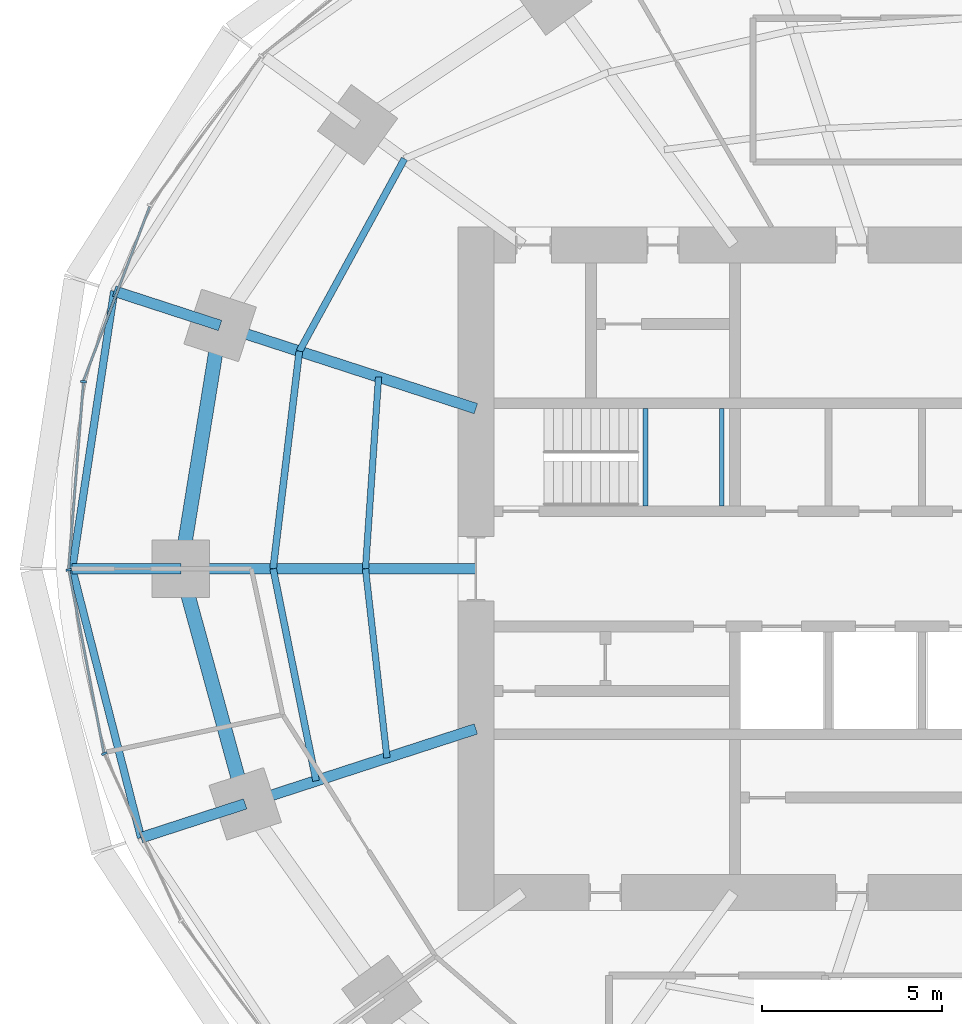
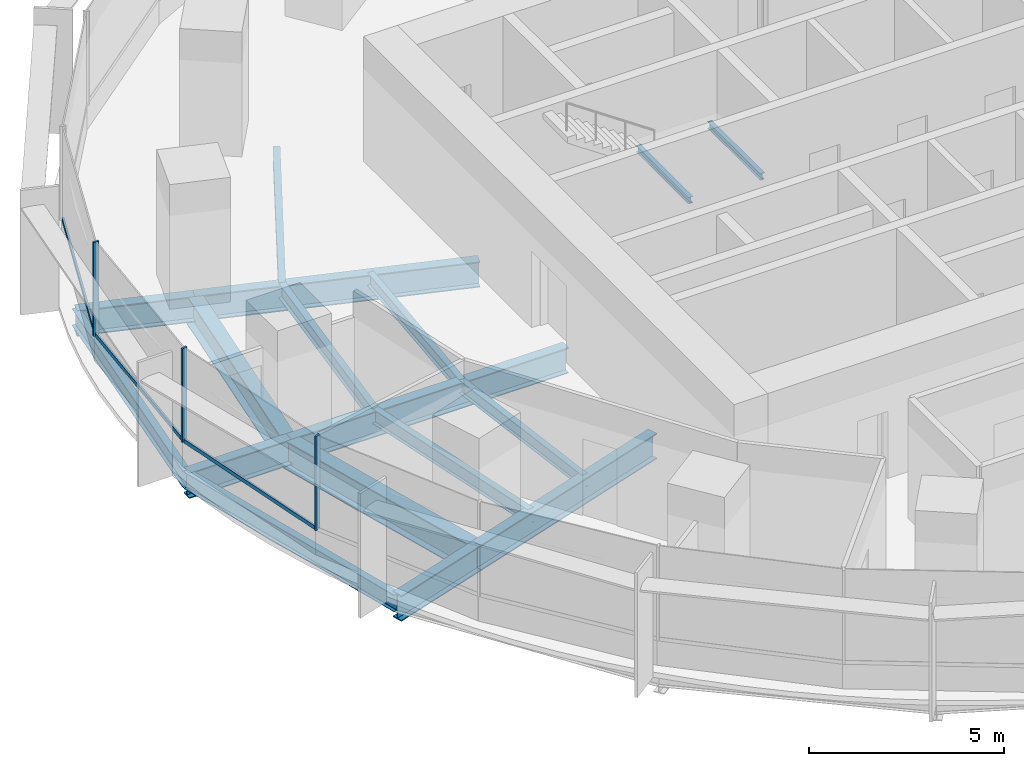
# One storey, part 4 of 14: 17 beams, 6 members, 2 elements without a shape of their own.
"""IFC4 building model written with IfcOpenShell, lengths in metres."""

import ifcopenshell
import ifcopenshell.guid

model = None  # the IFC model being written
_history = None  # IfcOwnerHistory: only IFC2X3 demands one
_inside = {}  # id of a spatial element -> (the spatial element, [elements in it])
_under = {}  # id of a project, library or spatial element -> (it, [spatial elements below it])
_declared = {}  # id of a project -> (the project, [libraries it declares])
_typed = {}  # id of a type object -> (the type object, [elements of that type])
_made_of = {}  # id of a material, layer set ... -> (it, [elements and type objects made of it])


def new_model(schema):
    """Start an empty IFC model of exactly this schema.

    Asked for "IFC4X3", IfcOpenShell would pick the latest addendum, in which some entities
    have other attributes; the version numbers below select the first issue.
    IFC2X3 requires an IfcOwnerHistory on every rooted entity: one is made here for all.
    """
    global model, _history
    if schema == "IFC4X3":
        model = ifcopenshell.file(schema_version=(4, 3, 0, 0))
    else:
        model = ifcopenshell.file(schema=schema)
    _inside.clear()
    _under.clear()
    _declared.clear()
    _typed.clear()
    _made_of.clear()
    _history = None
    if model.schema == "IFC2X3":
        org = make("IfcOrganization", Name="unknown")
        user = make(
            "IfcPersonAndOrganization",
            ThePerson=make("IfcPerson", FamilyName="unknown"),
            TheOrganization=org,
        )
        app = make(
            "IfcApplication",
            ApplicationDeveloper=org,
            Version="unknown",
            ApplicationFullName="unknown",
            ApplicationIdentifier="unknown",
        )
        _history = make(
            "IfcOwnerHistory",
            OwningUser=user,
            OwningApplication=app,
            ChangeAction="ADDED",
            CreationDate=0,
        )
    return model


def make(cls, **values):
    """One entity of the class cls with the attributes given. An attribute that is None is left unset."""
    return model.create_entity(
        cls, **{name: value for name, value in values.items() if value is not None}
    )


def rooted(cls, **values):
    """An entity with a GlobalId (a new one), such as an element, a storey or a relation."""
    return make(cls, GlobalId=ifcopenshell.guid.new(), OwnerHistory=_history, **values)


def si_unit(unit_type, name, prefix=None):
    """IfcSIUnit, for example si_unit("LENGTHUNIT", "METRE", prefix="MILLI")."""
    return make("IfcSIUnit", UnitType=unit_type, Prefix=prefix, Name=name)


def assignment(units):
    """IfcUnitAssignment: the units of a project."""
    return None if units is None else make("IfcUnitAssignment", Units=units)


def point(xyz):
    """IfcCartesianPoint."""
    return None if xyz is None else make("IfcCartesianPoint", Coordinates=xyz)


def direction(xyz):
    """IfcDirection."""
    return None if xyz is None else make("IfcDirection", DirectionRatios=xyz)


def frame(location, z_axis=None, x_axis=None):
    """IfcAxis2Placement3D, a coordinate frame: its origin and axes. An axis left out is left unset."""
    return make(
        "IfcAxis2Placement3D",
        Location=point(location),
        Axis=direction(z_axis),
        RefDirection=direction(x_axis),
    )


def frame_2d(location, x_axis=None):
    """IfcAxis2Placement2D, a coordinate frame in the plane: its origin and x axis."""
    return make(
        "IfcAxis2Placement2D", Location=point(location), RefDirection=direction(x_axis)
    )


def origin():
    """The frame at (0, 0, 0) with its axes left unset."""
    return frame((0.0, 0.0, 0.0))


def origin_2d():
    """The frame at (0, 0) in the plane with its x axis left unset."""
    return frame_2d((0.0, 0.0))


def place(relative_to, where):
    """IfcLocalPlacement: puts the frame where relative to a parent placement (None: the world)."""
    return make(
        "IfcLocalPlacement", PlacementRelTo=relative_to, RelativePlacement=where
    )


def context(
    kind, dimensions, precision=None, world=None, true_north=None, identifier=None
):
    """IfcGeometricRepresentationContext, for example the 3D "Model" context."""
    return make(
        "IfcGeometricRepresentationContext",
        ContextIdentifier=identifier,
        ContextType=kind,
        CoordinateSpaceDimension=dimensions,
        Precision=precision,
        WorldCoordinateSystem=world,
        TrueNorth=true_north,
    )


def subcontext(parent, identifier, kind, view, scale=None):
    """IfcGeometricRepresentationSubContext, for example "Body" below "Model"."""
    return make(
        "IfcGeometricRepresentationSubContext",
        ContextIdentifier=identifier,
        ContextType=kind,
        ParentContext=parent,
        TargetScale=scale,
        TargetView=view,
    )


def project(units=None, contexts=None):
    """IfcProject with its units and contexts."""
    return rooted(
        "IfcProject",
        Name="project",
        RepresentationContexts=contexts,
        UnitsInContext=assignment(units),
    )


def spatial(cls, under=None, at=None, **own):
    """A site, building, storey or space (cls), placed at a placement, below another one or the project."""
    s = rooted(cls, ObjectPlacement=at, **own)
    if under is not None:
        _under.setdefault(under.id(), (under, []))[1].append(s)
    return s


def profile(cls, at=None, kind="AREA", **sizes):
    """A parametric profile (cls). Its sizes go by their IFC names, for example OverallWidth=200.0."""
    return make(cls, ProfileType=kind, Position=at, **sizes)


def rectangle(**sizes):
    """IfcRectangleProfileDef."""
    return profile("IfcRectangleProfileDef", **sizes)


def i_section(**sizes):
    """IfcIShapeProfileDef."""
    return profile("IfcIShapeProfileDef", **sizes)


def extrude(swept, where, along, depth):
    """IfcExtrudedAreaSolid: the profile swept, set in the frame where, extruded along a direction by depth."""
    return make(
        "IfcExtrudedAreaSolid",
        SweptArea=swept,
        Position=where,
        ExtrudedDirection=direction(along),
        Depth=depth,
    )


def shape(context_of_items, identifier, shape_type, items):
    """IfcShapeRepresentation: the items that make up one representation, for example the "Body"."""
    return make(
        "IfcShapeRepresentation",
        ContextOfItems=context_of_items,
        RepresentationIdentifier=identifier,
        RepresentationType=shape_type,
        Items=items,
    )


def material(Name=None, Category=None):
    """IfcMaterial."""
    return make("IfcMaterial", Name=Name, Category=Category)


def material_profile(
    of_material, cross_section, Name=None, Category=None, Priority=None
):
    """IfcMaterialProfile: a cross section and its material."""
    return make(
        "IfcMaterialProfile",
        Name=Name,
        Material=of_material,
        Profile=cross_section,
        Priority=Priority,
        Category=Category,
    )


def profile_set(profiles, Name=None, composite=None):
    """IfcMaterialProfileSet."""
    return make(
        "IfcMaterialProfileSet",
        Name=Name,
        MaterialProfiles=profiles,
        CompositeProfile=composite,
    )


def made_of(thing, what):
    """Note that an element or type object is made of a material, layer set ...; save() writes the relation."""
    if what is not None:
        _made_of.setdefault(what.id(), (what, []))[1].append(thing)
    return thing


def type_object(cls, material=None, **own):
    """A type object (cls), such as IfcWallType, which elements share."""
    return made_of(rooted(cls, **own), material)


def element(
    cls,
    number,
    at=None,
    inside=None,
    cuts=None,
    type_object=None,
    material=None,
    context=None,
    identifier="Body",
    shape_type=None,
    held_by="IfcProductDefinitionShape",
    body=None,
    shapes=None,
    **own,
):
    """One element of the class cls, such as IfcWall. Its Tag is "e" and its number.

    at: its placement. inside: the storey or other place that contains it. cuts: it is an
    opening in that element (IfcRelVoidsElement). A single representation is given by context,
    identifier, shape_type and body (its items); several are given by shapes. held_by: the class
    of the entity that holds the representations. save() writes the other relations.
    """
    e = rooted(cls, Tag="e%d" % number, ObjectPlacement=at, **own)
    if body is not None:
        shapes = [shape(context, identifier, shape_type, body)]
    if shapes is not None:
        e.Representation = make(held_by, Representations=shapes)
    if inside is not None:
        _inside.setdefault(inside.id(), (inside, []))[1].append(e)
    if cuts is not None:
        rooted(
            "IfcRelVoidsElement", RelatingBuildingElement=cuts, RelatedOpeningElement=e
        )
    if type_object is not None:
        _typed.setdefault(type_object.id(), (type_object, []))[1].append(e)
    return made_of(e, material)


def aggregate(whole, parts):
    """IfcRelAggregates: a whole, such as a stair, and the parts it consists of."""
    return rooted("IfcRelAggregates", RelatingObject=whole, RelatedObjects=parts)


def save(model, path):
    """Write the relations noted so far, then the file.

    IfcRelAggregates (storeys below a building ...), IfcRelContainedInSpatialStructure (elements
    in a storey), IfcRelDefinesByType, IfcRelAssociatesMaterial and IfcRelDeclares: one each for
    every whole, place, type object, material and project.
    """
    for whole, parts in _under.values():
        aggregate(whole, parts)
    for where, things in _inside.values():
        rooted(
            "IfcRelContainedInSpatialStructure",
            RelatedElements=things,
            RelatingStructure=where,
        )
    for kind, things in _typed.values():
        rooted("IfcRelDefinesByType", RelatedObjects=things, RelatingType=kind)
    for what, things in _made_of.values():
        rooted("IfcRelAssociatesMaterial", RelatedObjects=things, RelatingMaterial=what)
    for by, libraries in _declared.values():
        rooted("IfcRelDeclares", RelatingContext=by, RelatedDefinitions=libraries)
    model.write(path)


model = new_model("IFC4")

# Units and contexts
model_context = context("Model", 3, precision=1e-05, world=origin(), true_north=direction((0.0, 1.0)))
body_context = subcontext(model_context, "Body", "Model", "MODEL_VIEW")
ifc_project = project(units=[si_unit("LENGTHUNIT", "METRE"), si_unit("AREAUNIT", "SQUARE_METRE"), si_unit("VOLUMEUNIT", "CUBIC_METRE"), si_unit("PLANEANGLEUNIT", "RADIAN"), si_unit("MASSUNIT", "GRAM", prefix="KILO")], contexts=[model_context])

# Site, building, storey
site_placement = place(None, origin())
site = spatial("IfcSite", under=ifc_project, at=site_placement, CompositionType="ELEMENT")
building_placement = place(site_placement, origin())
building = spatial("IfcBuilding", under=site, at=building_placement, Name="Marramba Exchange Tower", CompositionType="ELEMENT")
storey_placement = place(building_placement, frame((0.0, 0.0, 96.300048828125)))
storey = spatial("IfcBuildingStorey", under=building, at=storey_placement, Name="L22", CompositionType="ELEMENT", Elevation=96.300048828125)

# Beams
ifc_material_1 = material(Name="Steel AS/NZS 3679.2 grade 300", Category="steel")
ifc_material_profile_1 = material_profile(ifc_material_1, i_section(OverallWidth=0.300048828125, OverallDepth=0.800048828125, WebThickness=0.013916015625, FlangeThickness=0.031982421875, at=origin_2d()), Name="800WB192")
ifc_profile_set_1 = profile_set([ifc_material_profile_1], Name="Steel AS/NZS 3679.2 grade 300")
beam_type_1 = type_object("IfcBeamType", Name="Cantilever girder 800WB192", PredefinedType="BEAM", material=ifc_profile_set_1)
beam_1_placement = place(storey_placement, frame((-20.808349609375, 6.760986328125, -0.56005859375), z_axis=(-0.95104799017, 0.309043233858, 0.0), x_axis=(-0.309043233858, -0.95104799017, 0.0)))
element("IfcBeam", 1, at=beam_1_placement, inside=storey, type_object=beam_type_1, Name="Cantilever girder L22 TC10", PredefinedType="BEAM", context=body_context, shape_type="SweptSolid", body=[
    extrude(i_section(OverallWidth=0.300048828125, OverallDepth=0.800048828125, WebThickness=0.013916015625, FlangeThickness=0.031982421875, at=origin_2d()), origin(), (0.0, 0.0, 1.0), 3.0927734375),
])
beam_2_placement = place(storey_placement, frame((-21.89990234375, 0.0, -0.56005859375), z_axis=(-1.0, 0.0, 0.0), x_axis=(0.0, -1.0, 0.0)))
element("IfcBeam", 2, at=beam_2_placement, inside=storey, type_object=beam_type_1, Name="Cantilever girder L22 TC11", PredefinedType="BEAM", context=body_context, shape_type="SweptSolid", body=[
    extrude(i_section(OverallWidth=0.300048828125, OverallDepth=0.800048828125, WebThickness=0.013916015625, FlangeThickness=0.031982421875, at=origin_2d()), origin(), (0.0, 0.0, 1.0), 3.01806640625),
])
beam_3_placement = place(storey_placement, frame((-20.109375, -6.533935546875, -0.56005859375), z_axis=(-0.951070617775, -0.308973591113, 0.0), x_axis=(0.308973591113, -0.951070617775, 0.0)))
element("IfcBeam", 3, at=beam_3_placement, inside=storey, type_object=beam_type_1, Name="Cantilever girder L22 TC12", PredefinedType="BEAM", context=body_context, shape_type="SweptSolid", body=[
    extrude(i_section(OverallWidth=0.300048828125, OverallDepth=0.800048828125, WebThickness=0.013916015625, FlangeThickness=0.031982421875, at=origin_2d()), origin(), (0.0, 0.0, 1.0), 3.04296875),
])
ifc_material_2 = material(Name="Steel AS/NZS 3679.1 grade 300", Category="steel")
ifc_material_profile_2 = material_profile(ifc_material_2, i_section(OverallWidth=0.177978515625, OverallDepth=0.406005859375, WebThickness=0.0078125, FlangeThickness=0.0126953125, FilletRadius=0.011474609375, at=origin_2d()), Name="410UB59.7")
ifc_profile_set_2 = profile_set([ifc_material_profile_2], Name="Steel AS/NZS 3679.1 grade 300")
beam_type_2 = type_object("IfcBeamType", Name="Floor joist 410UB59.7", PredefinedType="JOIST", material=ifc_profile_set_2)
beam_4_placement = place(storey_placement, frame((-16.40283203125, 5.32958984375, -0.363037109375), z_axis=(-0.068096259546, -0.99767875563, 0.0), x_axis=(0.99767875563, -0.068096259546, 0.0)))
element("IfcBeam", 4, at=beam_4_placement, inside=storey, type_object=beam_type_2, Name="Joist L22 bay 10 row 1", PredefinedType="JOIST", context=body_context, shape_type="SweptSolid", body=[
    extrude(i_section(OverallWidth=0.177978515625, OverallDepth=0.406005859375, WebThickness=0.0078125, FlangeThickness=0.0126953125, FilletRadius=0.011474609375, at=origin_2d()), origin(), (0.0, 0.0, 1.0), 5.342041015625),
])
beam_5_placement = place(storey_placement, frame((-16.7666015625, 0.0, -0.363037109375), z_axis=(0.112888968594, -0.993607609054, 0.0), x_axis=(0.993607609054, 0.112888968594, 0.0)))
element("IfcBeam", 5, at=beam_5_placement, inside=storey, type_object=beam_type_2, Name="Joist L22 bay 11 row 1", PredefinedType="JOIST", context=body_context, shape_type="SweptSolid", body=[
    extrude(i_section(OverallWidth=0.177978515625, OverallDepth=0.406005859375, WebThickness=0.0078125, FlangeThickness=0.0126953125, FilletRadius=0.011474609375, at=origin_2d()), origin(), (0.0, 0.0, 1.0), 5.28759765625),
])
ifc_material_profile_3 = material_profile(ifc_material_2, i_section(OverallWidth=0.18994140625, OverallDepth=0.4541015625, WebThickness=0.008544921875, FlangeThickness=0.0126953125, FilletRadius=0.011474609375, at=origin_2d()), Name="460UB67.1")
ifc_profile_set_3 = profile_set([ifc_material_profile_3], Name="Steel AS/NZS 3679.1 grade 300")
beam_type_3 = type_object("IfcBeamType", Name="Floor joist 460UB67.1", PredefinedType="JOIST", material=ifc_profile_set_3)
beam_6_placement = place(storey_placement, frame((-15.682373046875, 11.393798828125, -0.386962890625), z_axis=(-0.479584443791, -0.877495732909, 0.0), x_axis=(0.877495732909, -0.479584443791, 0.0)))
element("IfcBeam", 6, at=beam_6_placement, inside=storey, type_object=beam_type_3, Name="Joist L22 bay 09 row 2", PredefinedType="JOIST", context=body_context, shape_type="SweptSolid", body=[
    extrude(i_section(OverallWidth=0.18994140625, OverallDepth=0.4541015625, WebThickness=0.008544921875, FlangeThickness=0.0126953125, FilletRadius=0.011474609375, at=origin_2d()), origin(), (0.0, 0.0, 1.0), 6.094970703125),
])
beam_7_placement = place(storey_placement, frame((-18.60546875, 6.04541015625, -0.386962890625), z_axis=(-0.119523078538, -0.992831422597, 0.0), x_axis=(0.992831422597, -0.119523078538, 0.0)))
element("IfcBeam", 7, at=beam_7_placement, inside=storey, type_object=beam_type_3, Name="Joist L22 bay 10 row 2", PredefinedType="JOIST", context=body_context, shape_type="SweptSolid", body=[
    extrude(i_section(OverallWidth=0.18994140625, OverallDepth=0.4541015625, WebThickness=0.008544921875, FlangeThickness=0.0126953125, FilletRadius=0.011474609375, at=origin_2d()), origin(), (0.0, 0.0, 1.0), 6.089111328125),
])
beam_8_placement = place(storey_placement, frame((-19.333251953125, 0.0, -0.386962890625), z_axis=(0.198489047047, -0.980103105904, 0.0), x_axis=(0.980103105904, 0.198489047047, 0.0)))
element("IfcBeam", 8, at=beam_8_placement, inside=storey, type_object=beam_type_3, Name="Joist L22 bay 11 row 2", PredefinedType="JOIST", context=body_context, shape_type="SweptSolid", body=[
    extrude(i_section(OverallWidth=0.18994140625, OverallDepth=0.4541015625, WebThickness=0.008544921875, FlangeThickness=0.0126953125, FilletRadius=0.011474609375, at=origin_2d()), origin(), (0.0, 0.0, 1.0), 6.013427734375),
])

# Curtain wall, member
ifc_material_3 = material(Name="Aluminium framing, bronze anodised", Category="aluminium")
curtain_wall_type = type_object("IfcCurtainWallType", Name="Office ribbon curtain wall", PredefinedType="USERDEFINED", material=ifc_material_3)
curtain_wall_1_placement = place(storey_placement, origin())
curtain_wall_1 = element("IfcCurtainWall", 9, at=curtain_wall_1_placement, inside=storey, type_object=curtain_wall_type, Name="Curtain wall CW4 L22 F11-F15", ObjectType="RIBBON CURTAIN WALL", PredefinedType="USERDEFINED")
ifc_material_4 = material(Name="Aluminium mullion, bronze anodised", Category="aluminium")
ifc_material_profile_4 = material_profile(ifc_material_4, rectangle(XDim=0.159912109375, YDim=0.06005859375, at=origin_2d()), Name="CW4 mullion 60x160")
ifc_profile_set_4 = profile_set([ifc_material_profile_4], Name="Aluminium mullion, bronze anodised")
member_type_1 = type_object("IfcMemberType", Name="Office ribbon curtain wall mullion", PredefinedType="MULLION", material=ifc_profile_set_4)
member_1_placement = place(storey_placement, frame((-24.603515625, 5.19921875, 0.800048828125), z_axis=(0.0, 0.0, 1.0), x_axis=(0.996838079455, -0.079459696383, 0.0)))
member_1 = element("IfcMember", 10, at=member_1_placement, type_object=member_type_1, Name="CW4 mullion 1", PredefinedType="MULLION", context=body_context, shape_type="SweptSolid", body=[
    extrude(rectangle(XDim=0.159912109375, YDim=0.06005859375, at=origin_2d()), origin(), (0.0, 0.0, 1.0), 2.93994140625),
])

# Curtain wall, members
curtain_wall_2_placement = place(storey_placement, origin())
curtain_wall_2 = element("IfcCurtainWall", 11, at=curtain_wall_2_placement, inside=storey, type_object=curtain_wall_type, Name="Curtain wall CW4 L22 F16-F20", ObjectType="RIBBON CURTAIN WALL", PredefinedType="USERDEFINED")
member_2_placement = place(storey_placement, frame((-25.012451171875, -0.029541015625, 0.800048828125), z_axis=(0.0, 0.0, 1.0), x_axis=(0.982125509078, 0.18822721487, 0.0)))
member_2 = element("IfcMember", 12, at=member_2_placement, type_object=member_type_1, Name="CW4 mullion 1", PredefinedType="MULLION", context=body_context, shape_type="SweptSolid", body=[
    extrude(rectangle(XDim=0.159912109375, YDim=0.06005859375, at=origin_2d()), origin(), (0.0, 0.0, 1.0), 2.93994140625),
])
member_3_placement = place(storey_placement, frame((-24.026123046875, -5.136962890625, 0.800048828125), z_axis=(0.0, 0.0, 1.0), x_axis=(0.909026713177, 0.416737848929, 0.0)))
member_3 = element("IfcMember", 13, at=member_3_placement, type_object=member_type_1, Name="CW4 mullion 1", PredefinedType="MULLION", context=body_context, shape_type="SweptSolid", body=[
    extrude(rectangle(XDim=0.159912109375, YDim=0.06005859375, at=origin_2d()), origin(), (0.0, 0.0, 1.0), 2.93994140625),
])

# Member
ifc_material_5 = material(Name="Aluminium transom, bronze anodised", Category="aluminium")
ifc_material_profile_5 = material_profile(ifc_material_5, rectangle(XDim=0.06005859375, YDim=0.1201171875, at=origin_2d()), Name="CW4 transom 60x120")
ifc_profile_set_5 = profile_set([ifc_material_profile_5], Name="Aluminium transom, bronze anodised")
member_type_2 = type_object("IfcMemberType", Name="Office ribbon curtain wall transom", PredefinedType="USERDEFINED", material=ifc_profile_set_5)
member_4_placement = place(storey_placement, frame((-22.763916015625, 10.069580078125, 0.829833984375), z_axis=(-0.354851822252, -0.934922555212, 0.0), x_axis=(0.934922555212, -0.354851822252, 0.0)))
member_4 = element("IfcMember", 14, at=member_4_placement, type_object=member_type_2, Name="CW4 sill transom", ObjectType="TRANSOM", PredefinedType="USERDEFINED", context=body_context, shape_type="SweptSolid", body=[
    extrude(rectangle(XDim=0.06005859375, YDim=0.1201171875, at=origin_2d()), origin(), (0.0, 0.0, 1.0), 5.17724609375),
])

member_5_placement = place(storey_placement, frame((-24.60595703125, 5.16943359375, 0.829833984375), z_axis=(-0.07946828762, -0.996837394595, 0.0), x_axis=(0.996837394595, -0.07946828762, 0.0)))
member_5 = element("IfcMember", 15, at=member_5_placement, type_object=member_type_2, Name="CW4 sill transom", ObjectType="TRANSOM", PredefinedType="USERDEFINED", context=body_context, shape_type="SweptSolid", body=[
    extrude(rectangle(XDim=0.06005859375, YDim=0.1201171875, at=origin_2d()), origin(), (0.0, 0.0, 1.0), 5.185791015625),
])

aggregate(curtain_wall_1, [member_4, member_1, member_5])

member_6_placement = place(storey_placement, frame((-25.006591796875, -0.058837890625, 0.829833984375), z_axis=(0.188185293992, -0.982133542409, 0.0), x_axis=(0.982133542409, 0.188185293992, 0.0)))
member_6 = element("IfcMember", 16, at=member_6_placement, type_object=member_type_2, Name="CW4 sill transom", ObjectType="TRANSOM", PredefinedType="USERDEFINED", context=body_context, shape_type="SweptSolid", body=[
    extrude(rectangle(XDim=0.06005859375, YDim=0.1201171875, at=origin_2d()), origin(), (0.0, 0.0, 1.0), 5.142578125),
])

aggregate(curtain_wall_2, [member_2, member_6, member_3])

# Beams
ifc_material_profile_6 = material_profile(ifc_material_1, i_section(OverallWidth=0.300048828125, OverallDepth=0.800048828125, WebThickness=0.013916015625, FlangeThickness=0.031982421875, at=origin_2d()), Name="800WB192")
ifc_profile_set_6 = profile_set([ifc_material_profile_6], Name="Steel AS/NZS 3679.2 grade 300")
beam_type_4 = type_object("IfcBeamType", Name="Radial girder 800WB192", PredefinedType="BEAM", material=ifc_profile_set_6)
beam_9_placement = place(storey_placement, frame((-13.699951171875, 4.451416015625, -0.56005859375), z_axis=(-0.951059990189, 0.309006302624, 0.0), x_axis=(-0.309006302624, -0.951059990189, 0.0)))
element("IfcBeam", 17, at=beam_9_placement, inside=storey, type_object=beam_type_4, Name="Radial girder L22 TC10", PredefinedType="BEAM", context=body_context, shape_type="SweptSolid", body=[
    extrude(i_section(OverallWidth=0.300048828125, OverallDepth=0.800048828125, WebThickness=0.013916015625, FlangeThickness=0.031982421875, at=origin_2d()), origin(), (0.0, 0.0, 1.0), 7.47412109375),
])
beam_10_placement = place(storey_placement, frame((-13.699951171875, 0.0, -0.56005859375), z_axis=(-1.0, 0.0, 0.0), x_axis=(0.0, -1.0, 0.0)))
element("IfcBeam", 18, at=beam_10_placement, inside=storey, type_object=beam_type_4, Name="Radial girder L22 TC11", PredefinedType="BEAM", context=body_context, shape_type="SweptSolid", body=[
    extrude(i_section(OverallWidth=0.300048828125, OverallDepth=0.800048828125, WebThickness=0.013916015625, FlangeThickness=0.031982421875, at=origin_2d()), origin(), (0.0, 0.0, 1.0), 8.199951171875),
])
beam_11_placement = place(storey_placement, frame((-13.699951171875, -4.451416015625, -0.56005859375), z_axis=(-0.951057759669, -0.309013167637, 0.0), x_axis=(0.309013167637, -0.951057759669, 0.0)))
element("IfcBeam", 19, at=beam_11_placement, inside=storey, type_object=beam_type_4, Name="Radial girder L22 TC12", PredefinedType="BEAM", context=body_context, shape_type="SweptSolid", body=[
    extrude(i_section(OverallWidth=0.300048828125, OverallDepth=0.800048828125, WebThickness=0.013916015625, FlangeThickness=0.031982421875, at=origin_2d()), origin(), (0.0, 0.0, 1.0), 6.7392578125),
])
ifc_material_profile_7 = material_profile(ifc_material_1, i_section(OverallWidth=0.39990234375, OverallDepth=0.89990234375, WebThickness=0.01611328125, FlangeThickness=0.031982421875, at=origin_2d()), Name="900WB282")
ifc_profile_set_7 = profile_set([ifc_material_profile_7], Name="Steel AS/NZS 3679.2 grade 300")
beam_type_5 = type_object("IfcBeamType", Name="Ring beam 900WB282", PredefinedType="SPANDREL", material=ifc_profile_set_7)
beam_12_placement = place(storey_placement, frame((-20.808349609375, 6.760986328125, -0.610107421875), z_axis=(-0.159384865399, -0.987216523708, 0.0), x_axis=(0.987216523708, -0.159384865399, 0.0)))
element("IfcBeam", 20, at=beam_12_placement, inside=storey, type_object=beam_type_5, Name="Ring beam L22 TC10-TC11", PredefinedType="SPANDREL", context=body_context, shape_type="SweptSolid", body=[
    extrude(i_section(OverallWidth=0.39990234375, OverallDepth=0.89990234375, WebThickness=0.01611328125, FlangeThickness=0.031982421875, at=origin_2d()), origin(), (0.0, 0.0, 1.0), 6.8486328125),
])
beam_13_placement = place(storey_placement, frame((-21.89990234375, 0.0, -0.610107421875), z_axis=(0.264291166956, -0.964442937176, 0.0), x_axis=(0.964442937176, 0.264291166956, 0.0)))
element("IfcBeam", 21, at=beam_13_placement, inside=storey, type_object=beam_type_5, Name="Ring beam L22 TC11-TC12", PredefinedType="SPANDREL", context=body_context, shape_type="SweptSolid", body=[
    extrude(i_section(OverallWidth=0.39990234375, OverallDepth=0.89990234375, WebThickness=0.01611328125, FlangeThickness=0.031982421875, at=origin_2d()), origin(), (0.0, 0.0, 1.0), 6.77490234375),
])
ifc_material_profile_8 = material_profile(ifc_material_2, i_section(OverallWidth=0.208984375, OverallDepth=0.528076171875, WebThickness=0.009521484375, FlangeThickness=0.01318359375, FilletRadius=0.013916015625, at=origin_2d()), Name="530UB82.0")
ifc_profile_set_8 = profile_set([ifc_material_profile_8], Name="Steel AS/NZS 3679.1 grade 300")
beam_type_6 = type_object("IfcBeamType", Name="Slab edge beam 530UB82.0", PredefinedType="SPANDREL", material=ifc_profile_set_8)
beam_14_placement = place(storey_placement, frame((-23.749755859375, 7.716796875, -0.424072265625), z_axis=(-0.149680281727, -0.988734450326, 0.0), x_axis=(0.988734450326, -0.149680281727, 0.0)))
element("IfcBeam", 22, at=beam_14_placement, inside=storey, type_object=beam_type_6, Name="Slab edge beam L22 TC10-TC11", PredefinedType="SPANDREL", context=body_context, shape_type="SweptSolid", body=[
    extrude(i_section(OverallWidth=0.208984375, OverallDepth=0.528076171875, WebThickness=0.009521484375, FlangeThickness=0.01318359375, FilletRadius=0.013916015625, at=origin_2d()), origin(), (0.0, 0.0, 1.0), 7.8046875),
])
beam_15_placement = place(storey_placement, frame((-24.91796875, 0.0, -0.424072265625), z_axis=(0.248145427917, -0.968722791413, 0.0), x_axis=(0.968722791413, 0.248145427917, 0.0)))
element("IfcBeam", 23, at=beam_15_placement, inside=storey, type_object=beam_type_6, Name="Slab edge beam L22 TC11-TC12", PredefinedType="SPANDREL", context=body_context, shape_type="SweptSolid", body=[
    extrude(i_section(OverallWidth=0.208984375, OverallDepth=0.528076171875, WebThickness=0.009521484375, FlangeThickness=0.01318359375, FilletRadius=0.013916015625, at=origin_2d()), origin(), (0.0, 0.0, 1.0), 7.71533203125),
])
ifc_material_profile_9 = material_profile(ifc_material_2, i_section(OverallWidth=0.133056640625, OverallDepth=0.202880859375, WebThickness=0.005859375, FlangeThickness=0.0078125, FilletRadius=0.0087890625, at=origin_2d()), Name="200UB25.4")
ifc_profile_set_9 = profile_set([ifc_material_profile_9], Name="Steel AS/NZS 3679.1 grade 300")
beam_type_7 = type_object("IfcBeamType", Name="Stair landing beam 200UB25.4", PredefinedType="BEAM", material=ifc_profile_set_9)
for number, where, z_axis, x_axis, name in (
    (24, (-8.9833984375, 1.75, 1.6484375), (0.0, 1.0, 0.0), (-1.0, 0.0, 0.0), "Stair landing beam SLB1 ST1 L22 1"),
    (25, (-6.866455078125, 1.75, 1.6484375), (0.0, 1.0, 0.0), (-1.0, 0.0, 0.0), "Stair landing beam SLB1 ST1 L22 2"),
):
    element("IfcBeam", number, at=place(storey_placement, frame(where, z_axis=z_axis, x_axis=x_axis)), inside=storey, type_object=beam_type_7, Name=name, PredefinedType="BEAM", context=body_context, shape_type="SweptSolid", body=[
        extrude(i_section(OverallWidth=0.133056640625, OverallDepth=0.202880859375, WebThickness=0.005859375, FlangeThickness=0.0078125, FilletRadius=0.0087890625, at=origin_2d()), origin(), (0.0, 0.0, 1.0), 2.699951171875),
    ])

save(model, "model.ifc")
